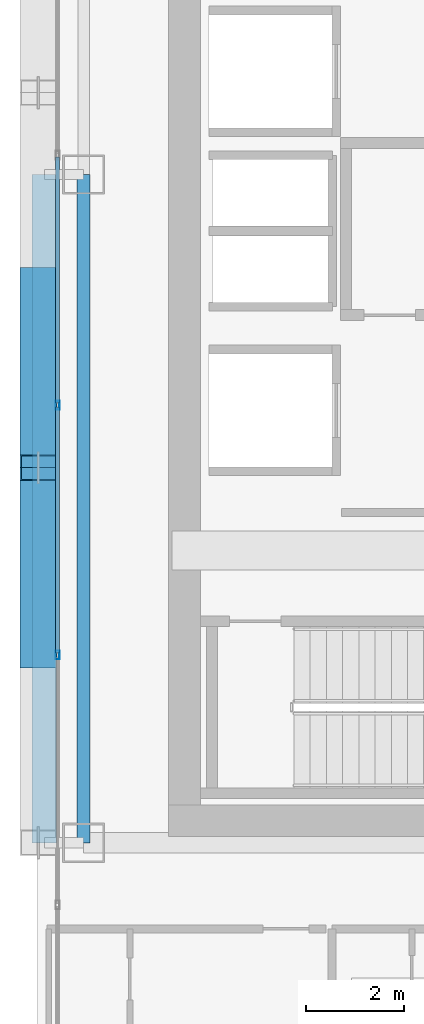
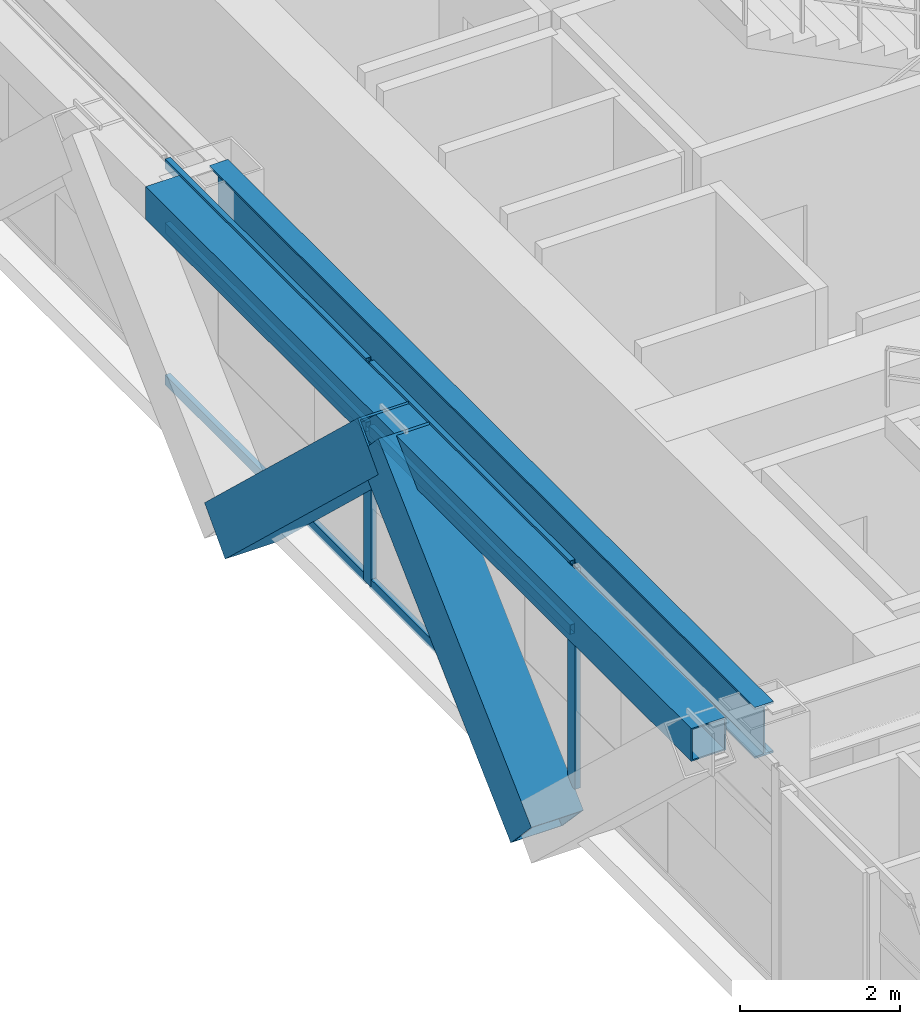
# One storey, part 6 of 36: 10 members, 2 beams, 1 element without a shape of its own.
"""IFC4 building model written with IfcOpenShell, lengths in metres."""

from ifc_helpers import new_model, si_unit, direction, frame, origin, origin_2d, place, context, subcontext, project, spatial, hollow_rectangle, i_section, extrude, source, transform, mapped, material, layer, layer_set, material_profile, profile_set, type_object, element, aggregate, save


model = new_model("IFC4")

# Units and contexts
model_context = context("Model", 3, precision=1e-05, world=origin(), true_north=direction((0.0, 1.0)))
body_context = subcontext(model_context, "Body", "Model", "MODEL_VIEW")
ifc_project = project(units=[si_unit("LENGTHUNIT", "METRE"), si_unit("AREAUNIT", "SQUARE_METRE"), si_unit("VOLUMEUNIT", "CUBIC_METRE"), si_unit("PLANEANGLEUNIT", "RADIAN"), si_unit("MASSUNIT", "GRAM", prefix="KILO")], contexts=[model_context])

# Site, building, storey
site_placement = place(None, origin())
site = spatial("IfcSite", under=ifc_project, at=site_placement, CompositionType="ELEMENT")
building_placement = place(site_placement, origin())
building = spatial("IfcBuilding", under=site, at=building_placement, Name="Ocotamira Hotel", CompositionType="ELEMENT")
storey_placement = place(building_placement, frame((0.0, 0.0, 136.800048828125)))
storey = spatial("IfcBuildingStorey", under=building, at=storey_placement, Name="L34", CompositionType="ELEMENT", Elevation=136.800048828125)

# Beams
ifc_material_1 = material(Name="Steel ASTM A992 Grade 50", Category="steel")
ifc_material_profile_1 = material_profile(ifc_material_1, i_section(OverallWidth=0.26611328125, OverallDepth=0.779052734375, WebThickness=0.0166015625, FlangeThickness=0.030029296875, FilletRadius=0.01806640625, at=origin_2d()), Name="W30X148")
ifc_profile_set_1 = profile_set([ifc_material_profile_1], Name="Steel ASTM A992 Grade 50")
beam_type_1 = type_object("IfcBeamType", Name="BM-GIRD-W30X148", PredefinedType="BEAM", material=ifc_profile_set_1)
shared_shape_1 = source(origin(), body_context, "Body", "SweptSolid", [
    extrude(i_section(OverallWidth=0.26611328125, OverallDepth=0.779052734375, WebThickness=0.0166015625, FlangeThickness=0.030029296875, FilletRadius=0.01806640625, at=origin_2d()), origin(), (0.0, 0.0, 1.0), 13.599853515625),
])
beam_1_placement = place(storey_placement, frame((8.949951171875, 14.550048828125, 2.970458984375), z_axis=(0.0, 1.0, 0.0), x_axis=(-1.0, 0.0, 0.0)))
element("IfcBeam", 1, at=beam_1_placement, inside=storey, type_object=beam_type_1, Name="L34 Beam X8.95 Y14.55-28.15", PredefinedType="BEAM", context=body_context, shape_type="MappedRepresentation", body=[
    mapped(shared_shape_1, transform((0.0, 0.0, 0.0), scale=1.0)),
])
ifc_material_2 = material(Name="Steel ASTM A500 Grade C", Category="steel")
ifc_material_profile_2 = material_profile(ifc_material_2, hollow_rectangle(XDim=0.5, YDim=0.5, WallThickness=0.02001953125, at=origin_2d()), Name="HSS500X500X20")
ifc_profile_set_2 = profile_set([ifc_material_profile_2], Name="Steel ASTM A500 Grade C")
beam_type_2 = type_object("IfcBeamType", Name="BM-SPAN-HSS500", PredefinedType="USERDEFINED", material=ifc_profile_set_2)
shared_shape_2 = source(origin(), body_context, "Body", "SweptSolid", [
    extrude(hollow_rectangle(XDim=0.5, YDim=0.5, WallThickness=0.02001953125, at=origin_2d()), origin(), (0.0, 0.0, 1.0), 13.599853515625),
])
beam_2_placement = place(storey_placement, frame((8.14990234375, 14.550048828125, 3.10986328125), z_axis=(0.0, 1.0, 0.0), x_axis=(-1.0, 0.0, 0.0)))
element("IfcBeam", 2, at=beam_2_placement, inside=storey, type_object=beam_type_2, Name="L34 Edge Spandrel W Y14.55-28.15", ObjectType="SPANDREL", PredefinedType="USERDEFINED", context=body_context, shape_type="MappedRepresentation", body=[
    mapped(shared_shape_2, transform((0.0, 0.0, 0.0), scale=1.0)),
])

# Members
ifc_material_3 = material(Name="Pale-metal coated steel ASTM A913 Grade 65", Category="steel")
ifc_material_profile_3 = material_profile(ifc_material_3, hollow_rectangle(XDim=0.75, YDim=0.75, WallThickness=0.028076171875, at=origin_2d()), Name="BOX750X750X28")
ifc_profile_set_3 = profile_set([ifc_material_profile_3], Name="Pale-metal coated steel ASTM A913 Grade 65")
member_type_1 = type_object("IfcMemberType", Name="MEM-EXO-BOX750", PredefinedType="BRACE", material=ifc_profile_set_3)
shared_shape_3 = source(origin(), body_context, "Body", "SweptSolid", [
    extrude(hollow_rectangle(XDim=0.75, YDim=0.75, WallThickness=0.028076171875, at=origin_2d()), origin(), (0.0, 0.0, 1.0), 5.24658203125),
])
for number, where, z_axis, x_axis, name in (
    (3, (8.030029296875, 18.36669921875, -0.489990234375), (0.0, 0.72746596067, 0.686143772154), (-1.0, 0.0, 0.0), "L34 Exoskeleton Diagrid W0.2"),
    (4, (8.030029296875, 26.0, -0.489990234375), (0.0, -0.72746596067, 0.686143772154), (1.0, 0.0, 0.0), "L34 Exoskeleton Diagrid W1.1"),
):
    element("IfcMember", number, at=place(storey_placement, frame(where, z_axis=z_axis, x_axis=x_axis)), inside=storey, type_object=member_type_1, Name=name, PredefinedType="BRACE", context=body_context, shape_type="MappedRepresentation", body=[
        mapped(shared_shape_3, transform((0.0, 0.0, 0.0), scale=1.0)),
    ])

# Curtain wall, members
ifc_material_4 = material(Name="Anodised pale-metal aluminium and solar glass", Category="aluminium")
ifc_layer = layer(ifc_material_4, 0.179931640625)
ifc_layer_set = layer_set([ifc_layer], Name="Anodised pale-metal aluminium and solar glass")
curtain_wall_type = type_object("IfcCurtainWallType", Name="CW-SYS3-Z2", PredefinedType="NOTDEFINED", material=ifc_layer_set)
curtain_wall_placement = place(storey_placement, origin())
curtain_wall = element("IfcCurtainWall", 5, at=curtain_wall_placement, inside=storey, type_object=curtain_wall_type, Name="L34 Curtain Wall CW-3 CW-L34-W", PredefinedType="NOTDEFINED")
ifc_material_5 = material(Name="Anodised pale-metal aluminium 6063-T6", Category="aluminium")
ifc_material_profile_4 = material_profile(ifc_material_5, hollow_rectangle(XDim=0.074951171875, YDim=0.14990234375, WallThickness=0.006103515625, at=origin_2d()), Name="HSS150X75X6")
ifc_profile_set_4 = profile_set([ifc_material_profile_4], Name="Anodised pale-metal aluminium 6063-T6")
member_type_2 = type_object("IfcMemberType", Name="CWT-150X75", PredefinedType="USERDEFINED", material=ifc_profile_set_4)
shared_shape_4 = source(origin(), body_context, "Body", "SweptSolid", [
    extrude(hollow_rectangle(XDim=0.074951171875, YDim=0.14990234375, WallThickness=0.006103515625, at=origin_2d()), origin(), (0.0, 0.0, 1.0), 5.005859375),
])
member_1_placement = place(storey_placement, frame((8.419921875, 18.411376953125, 0.037353515625), z_axis=(0.0, 1.0, 0.0), x_axis=(-1.0, 0.0, 0.0)))
member_1 = element("IfcMember", 6, at=member_1_placement, type_object=member_type_2, Name="CW-3 transom 3.1", ObjectType="TRANSOM", PredefinedType="USERDEFINED", context=body_context, shape_type="MappedRepresentation", body=[
    mapped(shared_shape_4, transform((0.0, 0.0, 0.0), scale=1.0)),
])
member_2_placement = place(storey_placement, frame((8.419921875, 18.411376953125, 2.349853515625), z_axis=(0.0, 1.0, 0.0), x_axis=(-1.0, 0.0, 0.0)))
member_2 = element("IfcMember", 7, at=member_2_placement, type_object=member_type_2, Name="CW-3 transom 3.2", ObjectType="TRANSOM", PredefinedType="USERDEFINED", context=body_context, shape_type="MappedRepresentation", body=[
    mapped(shared_shape_4, transform((0.0, 0.0, 0.0), scale=1.0)),
])
member_3_placement = place(storey_placement, frame((8.419921875, 18.411376953125, 3.322509765625), z_axis=(0.0, 1.0, 0.0), x_axis=(-1.0, 0.0, 0.0)))
member_3 = element("IfcMember", 8, at=member_3_placement, type_object=member_type_2, Name="CW-3 transom 3.3", ObjectType="TRANSOM", PredefinedType="USERDEFINED", context=body_context, shape_type="MappedRepresentation", body=[
    mapped(shared_shape_4, transform((0.0, 0.0, 0.0), scale=1.0)),
])
member_4_placement = place(storey_placement, frame((8.419921875, 23.4970703125, 0.037353515625), z_axis=(0.0, 1.0, 0.0), x_axis=(-1.0, 0.0, 0.0)))
member_4 = element("IfcMember", 9, at=member_4_placement, type_object=member_type_2, Name="CW-3 transom 4.1", ObjectType="TRANSOM", PredefinedType="USERDEFINED", context=body_context, shape_type="MappedRepresentation", body=[
    mapped(shared_shape_4, transform((0.0, 0.0, 0.0), scale=1.0)),
])
member_5_placement = place(storey_placement, frame((8.419921875, 23.4970703125, 2.349853515625), z_axis=(0.0, 1.0, 0.0), x_axis=(-1.0, 0.0, 0.0)))
member_5 = element("IfcMember", 10, at=member_5_placement, type_object=member_type_2, Name="CW-3 transom 4.2", ObjectType="TRANSOM", PredefinedType="USERDEFINED", context=body_context, shape_type="MappedRepresentation", body=[
    mapped(shared_shape_4, transform((0.0, 0.0, 0.0), scale=1.0)),
])
member_6_placement = place(storey_placement, frame((8.419921875, 23.4970703125, 3.322509765625), z_axis=(0.0, 1.0, 0.0), x_axis=(-1.0, 0.0, 0.0)))
member_6 = element("IfcMember", 11, at=member_6_placement, type_object=member_type_2, Name="CW-3 transom 4.3", ObjectType="TRANSOM", PredefinedType="USERDEFINED", context=body_context, shape_type="MappedRepresentation", body=[
    mapped(shared_shape_4, transform((0.0, 0.0, 0.0), scale=1.0)),
])
ifc_material_profile_5 = material_profile(ifc_material_5, hollow_rectangle(XDim=0.080078125, YDim=0.179931640625, WallThickness=0.006103515625, at=origin_2d()), Name="HSS180X80X6")
ifc_profile_set_5 = profile_set([ifc_material_profile_5], Name="Anodised pale-metal aluminium 6063-T6")
member_type_3 = type_object("IfcMemberType", Name="CWM-180X75", PredefinedType="MULLION", material=ifc_profile_set_5)
shared_shape_5 = source(origin(), body_context, "Body", "SweptSolid", [
    extrude(hollow_rectangle(XDim=0.080078125, YDim=0.179931640625, WallThickness=0.006103515625, at=origin_2d()), origin(), (0.0, 0.0, 1.0), 3.35986328125),
])
member_7_placement = place(storey_placement, frame((8.419921875, 18.371337890625, 0.0), z_axis=(0.0, 0.0, 1.0), x_axis=(-1.0, 0.0, 0.0)))
member_7 = element("IfcMember", 12, at=member_7_placement, type_object=member_type_3, Name="CW-3 mullion 3", PredefinedType="MULLION", context=body_context, shape_type="MappedRepresentation", body=[
    mapped(shared_shape_5, transform((0.0, 0.0, 0.0), scale=1.0)),
])
member_8_placement = place(storey_placement, frame((8.419921875, 23.45703125, 0.0), z_axis=(0.0, 0.0, 1.0), x_axis=(-1.0, 0.0, 0.0)))
member_8 = element("IfcMember", 13, at=member_8_placement, type_object=member_type_3, Name="CW-3 mullion 4", PredefinedType="MULLION", context=body_context, shape_type="MappedRepresentation", body=[
    mapped(shared_shape_5, transform((0.0, 0.0, 0.0), scale=1.0)),
])
aggregate(curtain_wall, [member_7, member_8, member_1, member_2, member_3, member_4, member_5, member_6])

save(model, "model.ifc")
